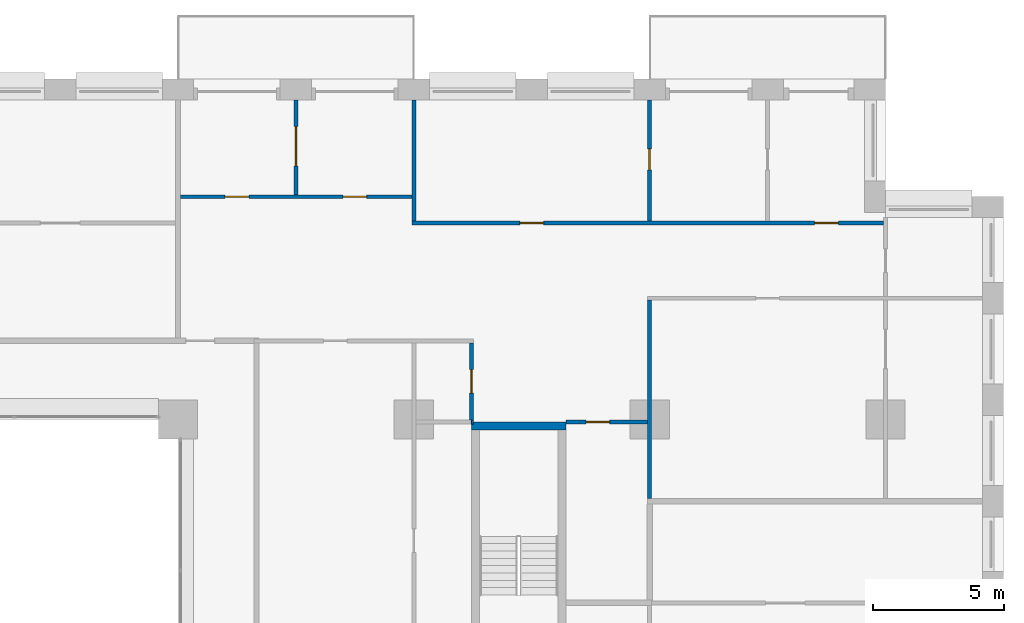
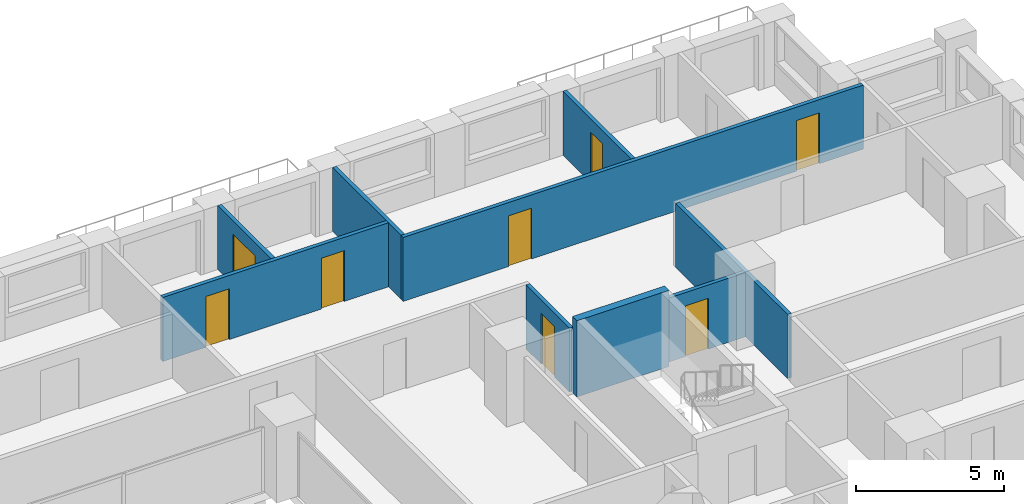
# One storey, part 15 of 20: 10 walls, 8 doors, 8 openings.
"""IFC4 building model written with IfcOpenShell, lengths in metres."""

from ifc_helpers import new_model, si_unit, direction, frame, frame_2d, origin, place, context, subcontext, project, spatial, rectangle, extrude, material, layer, layer_set, type_object, element, fill, save


model = new_model("IFC4")

# Units and contexts
model_context = context("Model", 3, precision=1e-05, world=origin(), true_north=direction((0.0, 1.0)))
body_context = subcontext(model_context, "Body", "Model", "MODEL_VIEW")
ifc_project = project(units=[si_unit("LENGTHUNIT", "METRE"), si_unit("AREAUNIT", "SQUARE_METRE"), si_unit("VOLUMEUNIT", "CUBIC_METRE"), si_unit("PLANEANGLEUNIT", "RADIAN"), si_unit("MASSUNIT", "GRAM", prefix="KILO")], contexts=[model_context])

# Site, building, storey
site_placement = place(None, origin())
site = spatial("IfcSite", under=ifc_project, at=site_placement, CompositionType="ELEMENT")
building_placement = place(site_placement, origin())
building = spatial("IfcBuilding", under=site, at=building_placement, Name="Brigalow Station Residences", CompositionType="ELEMENT")
storey_placement = place(building_placement, frame((0.0, 0.0, 69.89990234375)))
storey = spatial("IfcBuildingStorey", under=building, at=storey_placement, Name="L20", CompositionType="ELEMENT", Elevation=69.89990234375)

# Wall
ifc_material_1 = material(Name="Concrete C80", Category="concrete")
ifc_layer_1 = layer(ifc_material_1, 0.300048828125)
ifc_layer_set_1 = layer_set([ifc_layer_1], Name="CORE SHEAR WALL 300 C80")
wall_type_1 = type_object("IfcWallType", Name="CORE SHEAR WALL 300 C80", PredefinedType="SHEAR", material=ifc_layer_set_1)
wall_1_placement = place(storey_placement, frame((56.199951171875, 35.25, 0.0), z_axis=(0.0, 0.0, 1.0), x_axis=(1.0, 0.0, 0.0)))
element("IfcWall", 1, at=wall_1_placement, inside=storey, type_object=wall_type_1, Name="CORE WALL ST-S3-N L20", PredefinedType="SHEAR", context=body_context, shape_type="SweptSolid", body=[
    extrude(rectangle(XDim=3.60009765625, YDim=0.300048828125, at=frame_2d((1.800048828125, 0.0))), origin(), (0.0, 0.0, 1.0), 3.150146484375),
])

# Wall, openings, doors
ifc_material_2 = material(Name="Plasterboard on steel stud partition", Category="steel")
ifc_layer_2 = layer(ifc_material_2, 0.14990234375)
ifc_layer_set_2 = layer_set([ifc_layer_2], Name="FLAT PARTITION 150")
wall_type_2 = type_object("IfcWallType", Name="FLAT PARTITION 150", PredefinedType="PARTITIONING", material=ifc_layer_set_2)
wall_2_placement = place(storey_placement, frame((53.925048828125, 43.0, 0.0), z_axis=(0.0, 0.0, 1.0), x_axis=(1.0, 0.0, 0.0)))
wall_2 = element("IfcWall", 2, at=wall_2_placement, inside=storey, type_object=wall_type_2, Name="PW-1G28", PredefinedType="PARTITIONING", context=body_context, shape_type="SweptSolid", body=[
    extrude(rectangle(XDim=18.0, YDim=0.14990234375, at=frame_2d((9.0, 0.0))), origin(), (0.0, 0.0, 1.0), 2.650146484375),
])
opening_1_placement = place(wall_2_placement, frame((15.375, 0.0, 0.0)))
opening_1 = element("IfcOpeningElement", 3, at=opening_1_placement, cuts=wall_2, Name="Opening D-1G38", PredefinedType="OPENING", context=body_context, shape_type="SweptSolid", body=[
    extrude(rectangle(XDim=0.89990234375, YDim=2.10009765625, at=frame_2d((0.449951171875, 1.050048828125))), frame((0.0, 0.0849609375, 0.0), z_axis=(0.0, -1.0, 0.0), x_axis=(1.0, 0.0, 0.0)), (0.0, 0.0, 1.0), 0.169921875),
])
opening_2_placement = place(wall_2_placement, frame((4.125, 0.0, 0.0)))
opening_2 = element("IfcOpeningElement", 4, at=opening_2_placement, cuts=wall_2, Name="Opening D-1G44", PredefinedType="OPENING", context=body_context, shape_type="SweptSolid", body=[
    extrude(rectangle(XDim=0.89990234375, YDim=2.10009765625, at=frame_2d((0.449951171875, 1.050048828125))), frame((0.0, 0.0849609375, 0.0), z_axis=(0.0, -1.0, 0.0), x_axis=(1.0, 0.0, 0.0)), (0.0, 0.0, 1.0), 0.169921875),
])
ifc_material_3 = material(Name="Solid-core timber door leaf", Category="wood")
door_type_1 = type_object("IfcDoorType", Name="INTERNAL DOOR 900 x 2100", OperationType="SINGLE_SWING_LEFT", PredefinedType="DOOR", material=ifc_material_3)
door_1_placement = place(opening_1_placement, origin())
door_1 = element("IfcDoor", 5, at=door_1_placement, inside=storey, type_object=door_type_1, Name="D-1G38", OperationType="SINGLE_SWING_RIGHT", OverallHeight=2.10009765625, OverallWidth=0.89990234375, PredefinedType="DOOR", context=body_context, shape_type="SweptSolid", body=[
    extrude(rectangle(XDim=0.89990234375, YDim=2.10009765625, at=frame_2d((0.449951171875, 1.050048828125))), frame((0.0, 0.02490234375, 0.0), z_axis=(0.0, -1.0, 0.0), x_axis=(1.0, 0.0, 0.0)), (0.0, 0.0, 1.0), 0.050048828125),
])
fill(opening_1, door_1)
door_2_placement = place(opening_2_placement, origin())
door_2 = element("IfcDoor", 6, at=door_2_placement, inside=storey, type_object=door_type_1, Name="D-1G44", OperationType="SINGLE_SWING_RIGHT", OverallHeight=2.10009765625, OverallWidth=0.89990234375, PredefinedType="DOOR", context=body_context, shape_type="SweptSolid", body=[
    extrude(rectangle(XDim=0.89990234375, YDim=2.10009765625, at=frame_2d((0.449951171875, 1.050048828125))), frame((0.0, 0.02490234375, 0.0), z_axis=(0.0, -1.0, 0.0), x_axis=(1.0, 0.0, 0.0)), (0.0, 0.0, 1.0), 0.050048828125),
])
fill(opening_2, door_2)

# Wall
wall_3_placement = place(storey_placement, frame((56.199951171875, 35.39990234375, 0.0), z_axis=(0.0, 0.0, 1.0), x_axis=(1.0, 0.0, 0.0)))
element("IfcWall", 7, at=wall_3_placement, inside=storey, type_object=wall_type_2, Name="PW-1G32", PredefinedType="PARTITIONING", context=body_context, shape_type="SweptSolid", body=[
    extrude(rectangle(XDim=0.074951171875, YDim=0.14990234375, at=frame_2d((0.03759765625, 0.0))), origin(), (0.0, 0.0, 1.0), 2.650146484375),
])

# Wall, opening, door
wall_4_placement = place(storey_placement, frame((59.800048828125, 35.39990234375, 0.0), z_axis=(0.0, 0.0, 1.0), x_axis=(1.0, 0.0, 0.0)))
wall_4 = element("IfcWall", 8, at=wall_4_placement, inside=storey, type_object=wall_type_2, Name="PW-1G33", PredefinedType="PARTITIONING", context=body_context, shape_type="SweptSolid", body=[
    extrude(rectangle(XDim=3.125, YDim=0.14990234375, at=frame_2d((1.5625, 0.0))), origin(), (0.0, 0.0, 1.0), 2.650146484375),
])
opening_3_placement = place(wall_4_placement, frame((0.77490234375, 0.0, 0.0)))
opening_3 = element("IfcOpeningElement", 9, at=opening_3_placement, cuts=wall_4, Name="Opening D-1G48", PredefinedType="OPENING", context=body_context, shape_type="SweptSolid", body=[
    extrude(rectangle(XDim=0.89990234375, YDim=2.10009765625, at=frame_2d((0.449951171875, 1.050048828125))), frame((0.0, 0.0849609375, 0.0), z_axis=(0.0, -1.0, 0.0), x_axis=(1.0, 0.0, 0.0)), (0.0, 0.0, 1.0), 0.169921875),
])
door_3_placement = place(opening_3_placement, frame((0.89990234375, 0.0, 0.0), z_axis=(0.0, 0.0, 1.0), x_axis=(-1.0, 0.0, 0.0)))
door_3 = element("IfcDoor", 10, at=door_3_placement, inside=storey, type_object=door_type_1, Name="D-1G48", OperationType="SINGLE_SWING_RIGHT", OverallHeight=2.10009765625, OverallWidth=0.89990234375, PredefinedType="DOOR", context=body_context, shape_type="SweptSolid", body=[
    extrude(rectangle(XDim=0.89990234375, YDim=2.10009765625, at=frame_2d((0.449951171875, 1.050048828125))), frame((0.0, 0.02490234375, 0.0), z_axis=(0.0, -1.0, 0.0), x_axis=(1.0, 0.0, 0.0)), (0.0, 0.0, 1.0), 0.050048828125),
])
fill(opening_3, door_3)

# Wall, openings, doors
wall_5_placement = place(storey_placement, frame((45.10009765625, 44.0, 0.0), z_axis=(0.0, 0.0, 1.0), x_axis=(1.0, 0.0, 0.0)))
wall_5 = element("IfcWall", 11, at=wall_5_placement, inside=storey, type_object=wall_type_2, Name="PW-1G37", PredefinedType="PARTITIONING", context=body_context, shape_type="SweptSolid", body=[
    extrude(rectangle(XDim=8.824951171875, YDim=0.14990234375, at=frame_2d((4.41259765625, 0.0))), origin(), (0.0, 0.0, 1.0), 2.650146484375),
])
opening_4_placement = place(wall_5_placement, frame((6.199951171875, 0.0, 0.0)))
opening_4 = element("IfcOpeningElement", 12, at=opening_4_placement, cuts=wall_5, Name="Opening D-1G39", PredefinedType="OPENING", context=body_context, shape_type="SweptSolid", body=[
    extrude(rectangle(XDim=0.89990234375, YDim=2.10009765625, at=frame_2d((0.449951171875, 1.050048828125))), frame((0.0, 0.0849609375, 0.0), z_axis=(0.0, -1.0, 0.0), x_axis=(1.0, 0.0, 0.0)), (0.0, 0.0, 1.0), 0.169921875),
])
opening_5_placement = place(wall_5_placement, frame((1.699951171875, 0.0, 0.0)))
opening_5 = element("IfcOpeningElement", 13, at=opening_5_placement, cuts=wall_5, Name="Opening D-1G43", PredefinedType="OPENING", context=body_context, shape_type="SweptSolid", body=[
    extrude(rectangle(XDim=0.89990234375, YDim=2.10009765625, at=frame_2d((0.449951171875, 1.050048828125))), frame((0.0, 0.0849609375, 0.0), z_axis=(0.0, -1.0, 0.0), x_axis=(1.0, 0.0, 0.0)), (0.0, 0.0, 1.0), 0.169921875),
])
door_4_placement = place(opening_4_placement, origin())
door_4 = element("IfcDoor", 14, at=door_4_placement, inside=storey, type_object=door_type_1, Name="D-1G39", OperationType="SINGLE_SWING_RIGHT", OverallHeight=2.10009765625, OverallWidth=0.89990234375, PredefinedType="DOOR", context=body_context, shape_type="SweptSolid", body=[
    extrude(rectangle(XDim=0.89990234375, YDim=2.10009765625, at=frame_2d((0.449951171875, 1.050048828125))), frame((0.0, 0.02490234375, 0.0), z_axis=(0.0, -1.0, 0.0), x_axis=(1.0, 0.0, 0.0)), (0.0, 0.0, 1.0), 0.050048828125),
])
fill(opening_4, door_4)
door_5_placement = place(opening_5_placement, origin())
door_5 = element("IfcDoor", 15, at=door_5_placement, inside=storey, type_object=door_type_1, Name="D-1G43", OperationType="SINGLE_SWING_LEFT", OverallHeight=2.10009765625, OverallWidth=0.89990234375, PredefinedType="DOOR", context=body_context, shape_type="SweptSolid", body=[
    extrude(rectangle(XDim=0.89990234375, YDim=2.10009765625, at=frame_2d((0.449951171875, 1.050048828125))), frame((0.0, 0.02490234375, 0.0), z_axis=(0.0, -1.0, 0.0), x_axis=(1.0, 0.0, 0.0)), (0.0, 0.0, 1.0), 0.050048828125),
])
fill(opening_5, door_5)

# Walls
wall_6_placement = place(storey_placement, frame((54.0, 43.074951171875, 0.0), z_axis=(0.0, 0.0, 1.0), x_axis=(0.0, 1.0, 0.0)))
element("IfcWall", 16, at=wall_6_placement, inside=storey, type_object=wall_type_2, Name="PW-1G43", PredefinedType="PARTITIONING", context=body_context, shape_type="SweptSolid", body=[
    extrude(rectangle(XDim=4.625, YDim=0.14990234375, at=frame_2d((2.3125, 0.0))), origin(), (0.0, 0.0, 1.0), 2.650146484375),
])
wall_7_placement = place(storey_placement, frame((63.0, 32.47509765625, 0.0), z_axis=(0.0, 0.0, 1.0), x_axis=(0.0, 1.0, 0.0)))
element("IfcWall", 17, at=wall_7_placement, inside=storey, type_object=wall_type_2, Name="PW-1G68", PredefinedType="PARTITIONING", context=body_context, shape_type="SweptSolid", body=[
    extrude(rectangle(XDim=7.574951171875, YDim=0.14990234375, at=frame_2d((3.78759765625, 0.0))), origin(), (0.0, 0.0, 1.0), 2.650146484375),
])

# Wall, opening, door
wall_8_placement = place(storey_placement, frame((63.0, 43.074951171875, 0.0), z_axis=(0.0, 0.0, 1.0), x_axis=(0.0, 1.0, 0.0)))
wall_8 = element("IfcWall", 18, at=wall_8_placement, inside=storey, type_object=wall_type_2, Name="PW-1G69", PredefinedType="PARTITIONING", context=body_context, shape_type="SweptSolid", body=[
    extrude(rectangle(XDim=4.625, YDim=0.14990234375, at=frame_2d((2.3125, 0.0))), origin(), (0.0, 0.0, 1.0), 2.650146484375),
])
opening_6_placement = place(wall_8_placement, frame((1.949951171875, 0.0, 0.0)))
opening_6 = element("IfcOpeningElement", 19, at=opening_6_placement, cuts=wall_8, Name="Opening D-1G41", PredefinedType="OPENING", context=body_context, shape_type="SweptSolid", body=[
    extrude(rectangle(XDim=0.800048828125, YDim=2.10009765625, at=frame_2d((0.39990234375, 1.050048828125))), frame((0.0, 0.0849609375, 0.0), z_axis=(0.0, -1.0, 0.0), x_axis=(1.0, 0.0, 0.0)), (0.0, 0.0, 1.0), 0.169921875),
])
ifc_material_4 = material(Name="Solid-core timber door leaf", Category="wood")
door_type_2 = type_object("IfcDoorType", Name="INTERNAL DOOR 800 x 2100", OperationType="SINGLE_SWING_LEFT", PredefinedType="DOOR", material=ifc_material_4)
door_6_placement = place(opening_6_placement, frame((0.800048828125, 0.0, 0.0), z_axis=(0.0, 0.0, 1.0), x_axis=(-1.0, 0.0, 0.0)))
door_6 = element("IfcDoor", 20, at=door_6_placement, inside=storey, type_object=door_type_2, Name="D-1G41", OperationType="SINGLE_SWING_LEFT", OverallHeight=2.10009765625, OverallWidth=0.800048828125, PredefinedType="DOOR", context=body_context, shape_type="SweptSolid", body=[
    extrude(rectangle(XDim=0.800048828125, YDim=2.10009765625, at=frame_2d((0.39990234375, 1.050048828125))), frame((0.0, 0.02490234375, 0.0), z_axis=(0.0, -1.0, 0.0), x_axis=(1.0, 0.0, 0.0)), (0.0, 0.0, 1.0), 0.050048828125),
])
fill(opening_6, door_6)

wall_9_placement = place(storey_placement, frame((56.199951171875, 35.47509765625, 0.0), z_axis=(0.0, 0.0, 1.0), x_axis=(0.0, 1.0, 0.0)))
wall_9 = element("IfcWall", 21, at=wall_9_placement, inside=storey, type_object=wall_type_2, Name="PW-1G71", PredefinedType="PARTITIONING", context=body_context, shape_type="SweptSolid", body=[
    extrude(rectangle(XDim=2.949951171875, YDim=0.14990234375, at=frame_2d((1.47509765625, 0.0))), origin(), (0.0, 0.0, 1.0), 2.650146484375),
])
opening_7_placement = place(wall_9_placement, frame((1.02490234375, 0.0, 0.0)))
opening_7 = element("IfcOpeningElement", 22, at=opening_7_placement, cuts=wall_9, Name="Opening D-1G47", PredefinedType="OPENING", context=body_context, shape_type="SweptSolid", body=[
    extrude(rectangle(XDim=0.89990234375, YDim=2.10009765625, at=frame_2d((0.449951171875, 1.050048828125))), frame((0.0, 0.0849609375, 0.0), z_axis=(0.0, -1.0, 0.0), x_axis=(1.0, 0.0, 0.0)), (0.0, 0.0, 1.0), 0.169921875),
])
door_7_placement = place(opening_7_placement, origin())
door_7 = element("IfcDoor", 23, at=door_7_placement, inside=storey, type_object=door_type_1, Name="D-1G47", OperationType="SINGLE_SWING_LEFT", OverallHeight=2.10009765625, OverallWidth=0.89990234375, PredefinedType="DOOR", context=body_context, shape_type="SweptSolid", body=[
    extrude(rectangle(XDim=0.89990234375, YDim=2.10009765625, at=frame_2d((0.449951171875, 1.050048828125))), frame((0.0, 0.02490234375, 0.0), z_axis=(0.0, -1.0, 0.0), x_axis=(1.0, 0.0, 0.0)), (0.0, 0.0, 1.0), 0.050048828125),
])
fill(opening_7, door_7)

wall_10_placement = place(storey_placement, frame((49.5, 44.074951171875, 0.0), z_axis=(0.0, 0.0, 1.0), x_axis=(0.0, 1.0, 0.0)))
wall_10 = element("IfcWall", 24, at=wall_10_placement, inside=storey, type_object=wall_type_2, Name="PW-1G76", PredefinedType="PARTITIONING", context=body_context, shape_type="SweptSolid", body=[
    extrude(rectangle(XDim=3.625, YDim=0.14990234375, at=frame_2d((1.8125, 0.0))), origin(), (0.0, 0.0, 1.0), 2.650146484375),
])
opening_8_placement = place(wall_10_placement, frame((1.10009765625, 0.0, 0.0)))
opening_8 = element("IfcOpeningElement", 25, at=opening_8_placement, cuts=wall_10, Name="Opening D-1G40", PredefinedType="OPENING", context=body_context, shape_type="SweptSolid", body=[
    extrude(rectangle(XDim=1.5, YDim=2.10009765625, at=frame_2d((0.75, 1.050048828125))), frame((0.0, 0.0849609375, 0.0), z_axis=(0.0, -1.0, 0.0), x_axis=(1.0, 0.0, 0.0)), (0.0, 0.0, 1.0), 0.169921875),
])
ifc_material_5 = material(Name="Solid-core timber door leaf", Category="wood")
door_type_3 = type_object("IfcDoorType", Name="INTERNAL DOUBLE DOOR 1500 x 2100", OperationType="DOUBLE_DOOR_SINGLE_SWING", PredefinedType="DOOR", material=ifc_material_5)
door_8_placement = place(opening_8_placement, frame((1.5, 0.0, 0.0), z_axis=(0.0, 0.0, 1.0), x_axis=(-1.0, 0.0, 0.0)))
door_8 = element("IfcDoor", 26, at=door_8_placement, inside=storey, type_object=door_type_3, Name="D-1G40", OperationType="DOUBLE_DOOR_SINGLE_SWING", OverallHeight=2.10009765625, OverallWidth=1.5, PredefinedType="DOOR", context=body_context, shape_type="SweptSolid", body=[
    extrude(rectangle(XDim=1.5, YDim=2.10009765625, at=frame_2d((0.75, 1.050048828125))), frame((0.0, 0.02490234375, 0.0), z_axis=(0.0, -1.0, 0.0), x_axis=(1.0, 0.0, 0.0)), (0.0, 0.0, 1.0), 0.050048828125),
])
fill(opening_8, door_8)

save(model, "model.ifc")
